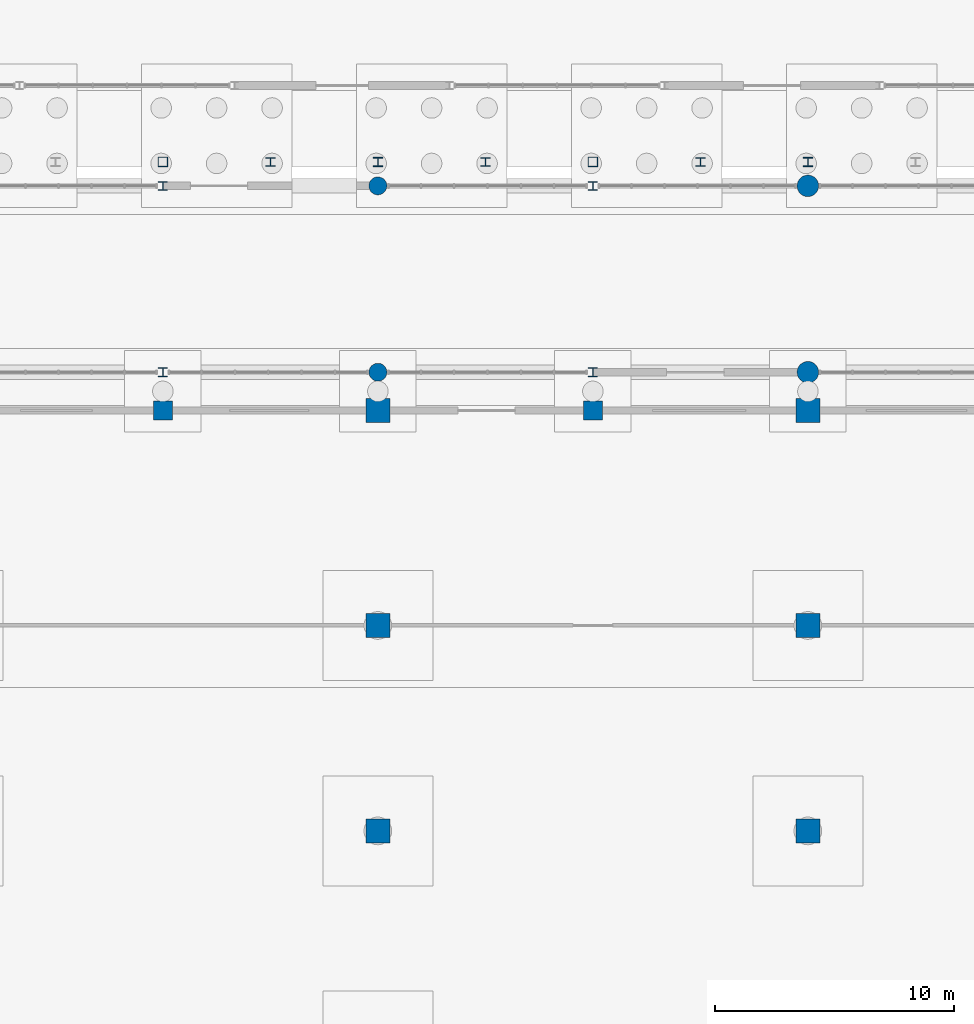
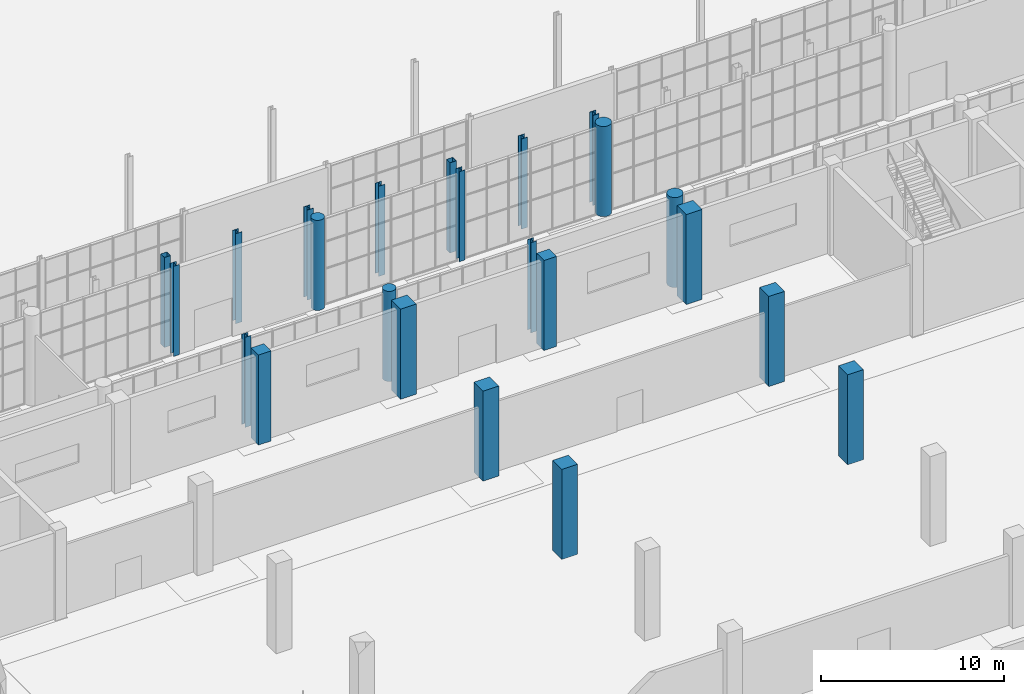
# One storey, part 16 of 131: 23 columns.
"""IFC4 building model written with IfcOpenShell, lengths in metres."""

import ifcopenshell
import ifcopenshell.guid

model = None  # the IFC model being written
_history = None  # IfcOwnerHistory: only IFC2X3 demands one
_inside = {}  # id of a spatial element -> (the spatial element, [elements in it])
_under = {}  # id of a project, library or spatial element -> (it, [spatial elements below it])
_declared = {}  # id of a project -> (the project, [libraries it declares])
_typed = {}  # id of a type object -> (the type object, [elements of that type])
_made_of = {}  # id of a material, layer set ... -> (it, [elements and type objects made of it])


def new_model(schema):
    """Start an empty IFC model of exactly this schema.

    Asked for "IFC4X3", IfcOpenShell would pick the latest addendum, in which some entities
    have other attributes; the version numbers below select the first issue.
    IFC2X3 requires an IfcOwnerHistory on every rooted entity: one is made here for all.
    """
    global model, _history
    if schema == "IFC4X3":
        model = ifcopenshell.file(schema_version=(4, 3, 0, 0))
    else:
        model = ifcopenshell.file(schema=schema)
    _inside.clear()
    _under.clear()
    _declared.clear()
    _typed.clear()
    _made_of.clear()
    _history = None
    if model.schema == "IFC2X3":
        org = make("IfcOrganization", Name="unknown")
        user = make(
            "IfcPersonAndOrganization",
            ThePerson=make("IfcPerson", FamilyName="unknown"),
            TheOrganization=org,
        )
        app = make(
            "IfcApplication",
            ApplicationDeveloper=org,
            Version="unknown",
            ApplicationFullName="unknown",
            ApplicationIdentifier="unknown",
        )
        _history = make(
            "IfcOwnerHistory",
            OwningUser=user,
            OwningApplication=app,
            ChangeAction="ADDED",
            CreationDate=0,
        )
    return model


def make(cls, **values):
    """One entity of the class cls with the attributes given. An attribute that is None is left unset."""
    return model.create_entity(
        cls, **{name: value for name, value in values.items() if value is not None}
    )


def rooted(cls, **values):
    """An entity with a GlobalId (a new one), such as an element, a storey or a relation."""
    return make(cls, GlobalId=ifcopenshell.guid.new(), OwnerHistory=_history, **values)


def si_unit(unit_type, name, prefix=None):
    """IfcSIUnit, for example si_unit("LENGTHUNIT", "METRE", prefix="MILLI")."""
    return make("IfcSIUnit", UnitType=unit_type, Prefix=prefix, Name=name)


def assignment(units):
    """IfcUnitAssignment: the units of a project."""
    return None if units is None else make("IfcUnitAssignment", Units=units)


def point(xyz):
    """IfcCartesianPoint."""
    return None if xyz is None else make("IfcCartesianPoint", Coordinates=xyz)


def direction(xyz):
    """IfcDirection."""
    return None if xyz is None else make("IfcDirection", DirectionRatios=xyz)


def frame(location, z_axis=None, x_axis=None):
    """IfcAxis2Placement3D, a coordinate frame: its origin and axes. An axis left out is left unset."""
    return make(
        "IfcAxis2Placement3D",
        Location=point(location),
        Axis=direction(z_axis),
        RefDirection=direction(x_axis),
    )


def frame_2d(location, x_axis=None):
    """IfcAxis2Placement2D, a coordinate frame in the plane: its origin and x axis."""
    return make(
        "IfcAxis2Placement2D", Location=point(location), RefDirection=direction(x_axis)
    )


def origin():
    """The frame at (0, 0, 0) with its axes left unset."""
    return frame((0.0, 0.0, 0.0))


def origin_2d():
    """The frame at (0, 0) in the plane with its x axis left unset."""
    return frame_2d((0.0, 0.0))


def place(relative_to, where):
    """IfcLocalPlacement: puts the frame where relative to a parent placement (None: the world)."""
    return make(
        "IfcLocalPlacement", PlacementRelTo=relative_to, RelativePlacement=where
    )


def context(
    kind, dimensions, precision=None, world=None, true_north=None, identifier=None
):
    """IfcGeometricRepresentationContext, for example the 3D "Model" context."""
    return make(
        "IfcGeometricRepresentationContext",
        ContextIdentifier=identifier,
        ContextType=kind,
        CoordinateSpaceDimension=dimensions,
        Precision=precision,
        WorldCoordinateSystem=world,
        TrueNorth=true_north,
    )


def subcontext(parent, identifier, kind, view, scale=None):
    """IfcGeometricRepresentationSubContext, for example "Body" below "Model"."""
    return make(
        "IfcGeometricRepresentationSubContext",
        ContextIdentifier=identifier,
        ContextType=kind,
        ParentContext=parent,
        TargetScale=scale,
        TargetView=view,
    )


def project(units=None, contexts=None):
    """IfcProject with its units and contexts."""
    return rooted(
        "IfcProject",
        Name="project",
        RepresentationContexts=contexts,
        UnitsInContext=assignment(units),
    )


def spatial(cls, under=None, at=None, **own):
    """A site, building, storey or space (cls), placed at a placement, below another one or the project."""
    s = rooted(cls, ObjectPlacement=at, **own)
    if under is not None:
        _under.setdefault(under.id(), (under, []))[1].append(s)
    return s


def profile(cls, at=None, kind="AREA", **sizes):
    """A parametric profile (cls). Its sizes go by their IFC names, for example OverallWidth=200.0."""
    return make(cls, ProfileType=kind, Position=at, **sizes)


def rectangle(**sizes):
    """IfcRectangleProfileDef."""
    return profile("IfcRectangleProfileDef", **sizes)


def hollow_rectangle(**sizes):
    """IfcRectangleHollowProfileDef."""
    return profile("IfcRectangleHollowProfileDef", **sizes)


def circle(**sizes):
    """IfcCircleProfileDef."""
    return profile("IfcCircleProfileDef", **sizes)


def i_section(**sizes):
    """IfcIShapeProfileDef."""
    return profile("IfcIShapeProfileDef", **sizes)


def extrude(swept, where, along, depth):
    """IfcExtrudedAreaSolid: the profile swept, set in the frame where, extruded along a direction by depth."""
    return make(
        "IfcExtrudedAreaSolid",
        SweptArea=swept,
        Position=where,
        ExtrudedDirection=direction(along),
        Depth=depth,
    )


def shape(context_of_items, identifier, shape_type, items):
    """IfcShapeRepresentation: the items that make up one representation, for example the "Body"."""
    return make(
        "IfcShapeRepresentation",
        ContextOfItems=context_of_items,
        RepresentationIdentifier=identifier,
        RepresentationType=shape_type,
        Items=items,
    )


def material(Name=None, Category=None):
    """IfcMaterial."""
    return make("IfcMaterial", Name=Name, Category=Category)


def material_profile(
    of_material, cross_section, Name=None, Category=None, Priority=None
):
    """IfcMaterialProfile: a cross section and its material."""
    return make(
        "IfcMaterialProfile",
        Name=Name,
        Material=of_material,
        Profile=cross_section,
        Priority=Priority,
        Category=Category,
    )


def profile_set(profiles, Name=None, composite=None):
    """IfcMaterialProfileSet."""
    return make(
        "IfcMaterialProfileSet",
        Name=Name,
        MaterialProfiles=profiles,
        CompositeProfile=composite,
    )


def made_of(thing, what):
    """Note that an element or type object is made of a material, layer set ...; save() writes the relation."""
    if what is not None:
        _made_of.setdefault(what.id(), (what, []))[1].append(thing)
    return thing


def type_object(cls, material=None, **own):
    """A type object (cls), such as IfcWallType, which elements share."""
    return made_of(rooted(cls, **own), material)


def element(
    cls,
    number,
    at=None,
    inside=None,
    cuts=None,
    type_object=None,
    material=None,
    context=None,
    identifier="Body",
    shape_type=None,
    held_by="IfcProductDefinitionShape",
    body=None,
    shapes=None,
    **own,
):
    """One element of the class cls, such as IfcWall. Its Tag is "e" and its number.

    at: its placement. inside: the storey or other place that contains it. cuts: it is an
    opening in that element (IfcRelVoidsElement). A single representation is given by context,
    identifier, shape_type and body (its items); several are given by shapes. held_by: the class
    of the entity that holds the representations. save() writes the other relations.
    """
    e = rooted(cls, Tag="e%d" % number, ObjectPlacement=at, **own)
    if body is not None:
        shapes = [shape(context, identifier, shape_type, body)]
    if shapes is not None:
        e.Representation = make(held_by, Representations=shapes)
    if inside is not None:
        _inside.setdefault(inside.id(), (inside, []))[1].append(e)
    if cuts is not None:
        rooted(
            "IfcRelVoidsElement", RelatingBuildingElement=cuts, RelatedOpeningElement=e
        )
    if type_object is not None:
        _typed.setdefault(type_object.id(), (type_object, []))[1].append(e)
    return made_of(e, material)


def aggregate(whole, parts):
    """IfcRelAggregates: a whole, such as a stair, and the parts it consists of."""
    return rooted("IfcRelAggregates", RelatingObject=whole, RelatedObjects=parts)


def save(model, path):
    """Write the relations noted so far, then the file.

    IfcRelAggregates (storeys below a building ...), IfcRelContainedInSpatialStructure (elements
    in a storey), IfcRelDefinesByType, IfcRelAssociatesMaterial and IfcRelDeclares: one each for
    every whole, place, type object, material and project.
    """
    for whole, parts in _under.values():
        aggregate(whole, parts)
    for where, things in _inside.values():
        rooted(
            "IfcRelContainedInSpatialStructure",
            RelatedElements=things,
            RelatingStructure=where,
        )
    for kind, things in _typed.values():
        rooted("IfcRelDefinesByType", RelatedObjects=things, RelatingType=kind)
    for what, things in _made_of.values():
        rooted("IfcRelAssociatesMaterial", RelatedObjects=things, RelatingMaterial=what)
    for by, libraries in _declared.values():
        rooted("IfcRelDeclares", RelatingContext=by, RelatedDefinitions=libraries)
    model.write(path)


model = new_model("IFC4")

# Units and contexts
model_context = context("Model", 3, precision=1e-05, world=origin(), true_north=direction((0.0, 1.0)))
body_context = subcontext(model_context, "Body", "Model", "MODEL_VIEW")
ifc_project = project(units=[si_unit("LENGTHUNIT", "METRE"), si_unit("AREAUNIT", "SQUARE_METRE"), si_unit("VOLUMEUNIT", "CUBIC_METRE"), si_unit("PLANEANGLEUNIT", "RADIAN"), si_unit("MASSUNIT", "GRAM", prefix="KILO")], contexts=[model_context])

# Site, building, storey
site_placement = place(None, origin())
site = spatial("IfcSite", under=ifc_project, at=site_placement, CompositionType="ELEMENT")
building_placement = place(site_placement, origin())
building = spatial("IfcBuilding", under=site, at=building_placement, Name="Cazmaro Siding Exhibition Halls", CompositionType="ELEMENT")
storey_placement = place(building_placement, origin())
storey = spatial("IfcBuildingStorey", under=building, at=storey_placement, Name="L00", CompositionType="ELEMENT", Elevation=0.0)

# Columns
ifc_material_1 = material(Name="Steel ASTM A992 Grade 50", Category="steel")
ifc_material_profile_1 = material_profile(ifc_material_1, i_section(OverallWidth=0.39208984375, OverallDepth=0.3759765625, WebThickness=0.01708984375, FlangeThickness=0.028076171875, at=origin_2d()), Name="W14X145")
ifc_profile_set_1 = profile_set([ifc_material_profile_1], Name="Steel ASTM A992 Grade 50")
column_type_1 = type_object("IfcColumnType", Name="C-03", PredefinedType="COLUMN", material=ifc_profile_set_1)
for number, where, z_axis, x_axis, name in (
    (1, (103.5, 64.0, 0.0), (0.0, 0.0, 1.0), (1.0, 0.0, 0.0), "Column C-03 COL-0079"),
    (2, (112.5, 64.0, 0.0), (0.0, 0.0, 1.0), (1.0, 0.0, 0.0), "Column C-03 COL-0091"),
    (3, (121.5, 64.0, 0.0), (0.0, 0.0, 1.0), (1.0, 0.0, 0.0), "Column C-03 COL-0103"),
):
    element("IfcColumn", number, at=place(storey_placement, frame(where, z_axis=z_axis, x_axis=x_axis)), inside=storey, type_object=column_type_1, Name=name, PredefinedType="COLUMN", context=body_context, shape_type="SweptSolid", body=[
        extrude(i_section(OverallWidth=0.39208984375, OverallDepth=0.3759765625, WebThickness=0.01708984375, FlangeThickness=0.028076171875, at=origin_2d()), origin(), (0.0, 0.0, 1.0), 6.0),
    ])
ifc_material_2 = material(Name="Concrete f'c 45 MPa", Category="concrete")
ifc_material_profile_2 = material_profile(ifc_material_2, rectangle(XDim=1.0, YDim=1.0, at=origin_2d()), Name="RC1000X1000")
ifc_profile_set_2 = profile_set([ifc_material_profile_2], Name="Concrete f'c 45 MPa")
column_type_2 = type_object("IfcColumnType", Name="C-07", PredefinedType="COLUMN", material=ifc_profile_set_2)
for number, where, z_axis, x_axis, name in (
    (4, (108.0, 36.0, 0.0), (0.0, 0.0, 1.0), (1.0, 0.0, 0.0), "Column C-07 COL-0487"),
    (5, (108.0, 44.60009765625, 0.0), (0.0, 0.0, 1.0), (1.0, 0.0, 0.0), "Column C-07 COL-0489"),
    (6, (108.0, 53.60009765625, 0.0), (0.0, 0.0, 1.0), (1.0, 0.0, 0.0), "Column C-07 COL-0491"),
    (7, (126.0, 36.0, 0.0), (0.0, 0.0, 1.0), (1.0, 0.0, 0.0), "Column C-07 COL-0499"),
    (8, (126.0, 44.60009765625, 0.0), (0.0, 0.0, 1.0), (1.0, 0.0, 0.0), "Column C-07 COL-0501"),
    (9, (126.0, 53.60009765625, 0.0), (0.0, 0.0, 1.0), (1.0, 0.0, 0.0), "Column C-07 COL-0503"),
):
    element("IfcColumn", number, at=place(storey_placement, frame(where, z_axis=z_axis, x_axis=x_axis)), inside=storey, type_object=column_type_2, Name=name, PredefinedType="COLUMN", context=body_context, shape_type="SweptSolid", body=[
        extrude(rectangle(XDim=1.0, YDim=1.0, at=origin_2d()), origin(), (0.0, 0.0, 1.0), 6.0),
    ])
ifc_material_3 = material(Name="Concrete f'c 45 MPa", Category="concrete")
ifc_material_profile_3 = material_profile(ifc_material_3, rectangle(XDim=0.800048828125, YDim=0.800048828125, at=origin_2d()), Name="RC800X800")
ifc_profile_set_3 = profile_set([ifc_material_profile_3], Name="Concrete f'c 45 MPa")
column_type_3 = type_object("IfcColumnType", Name="C-08", PredefinedType="COLUMN", material=ifc_profile_set_3)
for number, where, z_axis, x_axis, name in (
    (10, (99.0, 53.60009765625, 0.0), (0.0, 0.0, 1.0), (1.0, 0.0, 0.0), "Column C-08 COL-0585"),
    (11, (117.0, 53.60009765625, 0.0), (0.0, 0.0, 1.0), (1.0, 0.0, 0.0), "Column C-08 COL-0597"),
):
    element("IfcColumn", number, at=place(storey_placement, frame(where, z_axis=z_axis, x_axis=x_axis)), inside=storey, type_object=column_type_3, Name=name, PredefinedType="COLUMN", context=body_context, shape_type="SweptSolid", body=[
        extrude(rectangle(XDim=0.800048828125, YDim=0.800048828125, at=origin_2d()), origin(), (0.0, 0.0, 1.0), 6.0),
    ])
ifc_material_4 = material(Name="Concrete f'c 45 MPa", Category="concrete")
ifc_material_profile_4 = material_profile(ifc_material_4, circle(Radius=0.449951171875, at=origin_2d()), Name="RC900DIA")
ifc_profile_set_4 = profile_set([ifc_material_profile_4], Name="Concrete f'c 45 MPa")
column_type_4 = type_object("IfcColumnType", Name="C-09", PredefinedType="COLUMN", material=ifc_profile_set_4)
for number, where, z_axis, x_axis, name in (
    (12, (126.0, 55.199951171875, 0.0), (0.0, 0.0, 1.0), (1.0, 0.0, 0.0), "Column C-09 COL-0765"),
    (13, (126.0, 63.0, 0.0), (0.0, 0.0, 1.0), (1.0, 0.0, 0.0), "Column C-09 COL-0768"),
):
    element("IfcColumn", number, at=place(storey_placement, frame(where, z_axis=z_axis, x_axis=x_axis)), inside=storey, type_object=column_type_4, Name=name, PredefinedType="COLUMN", context=body_context, shape_type="SweptSolid", body=[
        extrude(circle(Radius=0.449951171875, at=origin_2d()), origin(), (0.0, 0.0, 1.0), 6.0),
    ])
ifc_material_5 = material(Name="Steel ASTM A992 Grade 50", Category="steel")
ifc_material_profile_5 = material_profile(ifc_material_5, i_section(OverallWidth=0.39892578125, OverallDepth=0.386962890625, WebThickness=0.02099609375, FlangeThickness=0.032958984375, at=origin_2d()), Name="W14X176")
ifc_profile_set_5 = profile_set([ifc_material_profile_5], Name="Steel ASTM A992 Grade 50")
column_type_5 = type_object("IfcColumnType", Name="C-11", PredefinedType="COLUMN", material=ifc_profile_set_5)
for number, where, z_axis, x_axis, name in (
    (14, (108.0, 64.0, 0.0), (0.0, 0.0, 1.0), (1.0, 0.0, 0.0), "Column C-11 COL-0085"),
    (15, (126.0, 64.0, 0.0), (0.0, 0.0, 1.0), (1.0, 0.0, 0.0), "Column C-11 COL-0109"),
):
    element("IfcColumn", number, at=place(storey_placement, frame(where, z_axis=z_axis, x_axis=x_axis)), inside=storey, type_object=column_type_5, Name=name, PredefinedType="COLUMN", context=body_context, shape_type="SweptSolid", body=[
        extrude(i_section(OverallWidth=0.39892578125, OverallDepth=0.386962890625, WebThickness=0.02099609375, FlangeThickness=0.032958984375, at=origin_2d()), origin(), (0.0, 0.0, 1.0), 6.0),
    ])
ifc_material_6 = material(Name="Steel ASTM A992 Grade 50", Category="steel")
ifc_material_profile_6 = material_profile(ifc_material_6, i_section(OverallWidth=0.37109375, OverallDepth=0.364013671875, WebThickness=0.012939453125, FlangeThickness=0.02197265625, at=origin_2d()), Name="W14X109")
ifc_profile_set_6 = profile_set([ifc_material_profile_6], Name="Steel ASTM A992 Grade 50")
column_type_6 = type_object("IfcColumnType", Name="C-12", PredefinedType="COLUMN", material=ifc_profile_set_6)
for number, where, z_axis, x_axis, name in (
    (16, (99.0, 55.199951171875, 0.0), (0.0, 0.0, 1.0), (1.0, 0.0, 0.0), "Column C-12 COL-0747"),
    (17, (99.0, 63.0, 0.0), (0.0, 0.0, 1.0), (1.0, 0.0, 0.0), "Column C-12 COL-0750"),
    (18, (117.0, 55.199951171875, 0.0), (0.0, 0.0, 1.0), (1.0, 0.0, 0.0), "Column C-12 COL-0759"),
    (19, (117.0, 63.0, 0.0), (0.0, 0.0, 1.0), (1.0, 0.0, 0.0), "Column C-12 COL-0762"),
):
    element("IfcColumn", number, at=place(storey_placement, frame(where, z_axis=z_axis, x_axis=x_axis)), inside=storey, type_object=column_type_6, Name=name, PredefinedType="COLUMN", context=body_context, shape_type="SweptSolid", body=[
        extrude(i_section(OverallWidth=0.37109375, OverallDepth=0.364013671875, WebThickness=0.012939453125, FlangeThickness=0.02197265625, at=origin_2d()), origin(), (0.0, 0.0, 1.0), 6.0),
    ])
ifc_material_7 = material(Name="Steel ASTM A500 Grade C", Category="steel")
ifc_material_profile_7 = material_profile(ifc_material_7, hollow_rectangle(XDim=0.406005859375, YDim=0.406005859375, WallThickness=0.014892578125, at=origin_2d()), Name="HSS16X16X5/8")
ifc_profile_set_7 = profile_set([ifc_material_profile_7], Name="Steel ASTM A500 Grade C")
column_type_7 = type_object("IfcColumnType", Name="PL-01", PredefinedType="PILASTER", material=ifc_profile_set_7)
for number, where, z_axis, x_axis, name in (
    (20, (99.0, 64.0, 0.0), (0.0, 0.0, 1.0), (1.0, 0.0, 0.0), "Column PL-01 COL-0073"),
    (21, (117.0, 64.0, 0.0), (0.0, 0.0, 1.0), (1.0, 0.0, 0.0), "Column PL-01 COL-0097"),
):
    element("IfcColumn", number, at=place(storey_placement, frame(where, z_axis=z_axis, x_axis=x_axis)), inside=storey, type_object=column_type_7, Name=name, PredefinedType="PILASTER", context=body_context, shape_type="SweptSolid", body=[
        extrude(hollow_rectangle(XDim=0.406005859375, YDim=0.406005859375, WallThickness=0.014892578125, at=origin_2d()), origin(), (0.0, 0.0, 1.0), 6.0),
    ])
ifc_material_8 = material(Name="Concrete f'c 45 MPa", Category="concrete")
ifc_material_profile_8 = material_profile(ifc_material_8, circle(Radius=0.375, at=origin_2d()), Name="RC750DIA")
ifc_profile_set_8 = profile_set([ifc_material_profile_8], Name="Concrete f'c 45 MPa")
column_type_8 = type_object("IfcColumnType", Name="PL-03", PredefinedType="PILASTER", material=ifc_profile_set_8)
for number, where, z_axis, x_axis, name in (
    (22, (108.0, 55.199951171875, 0.0), (0.0, 0.0, 1.0), (1.0, 0.0, 0.0), "Column PL-03 COL-0753"),
    (23, (108.0, 63.0, 0.0), (0.0, 0.0, 1.0), (1.0, 0.0, 0.0), "Column PL-03 COL-0756"),
):
    element("IfcColumn", number, at=place(storey_placement, frame(where, z_axis=z_axis, x_axis=x_axis)), inside=storey, type_object=column_type_8, Name=name, PredefinedType="PILASTER", context=body_context, shape_type="SweptSolid", body=[
        extrude(circle(Radius=0.375, at=origin_2d()), origin(), (0.0, 0.0, 1.0), 6.0),
    ])

save(model, "model.ifc")
